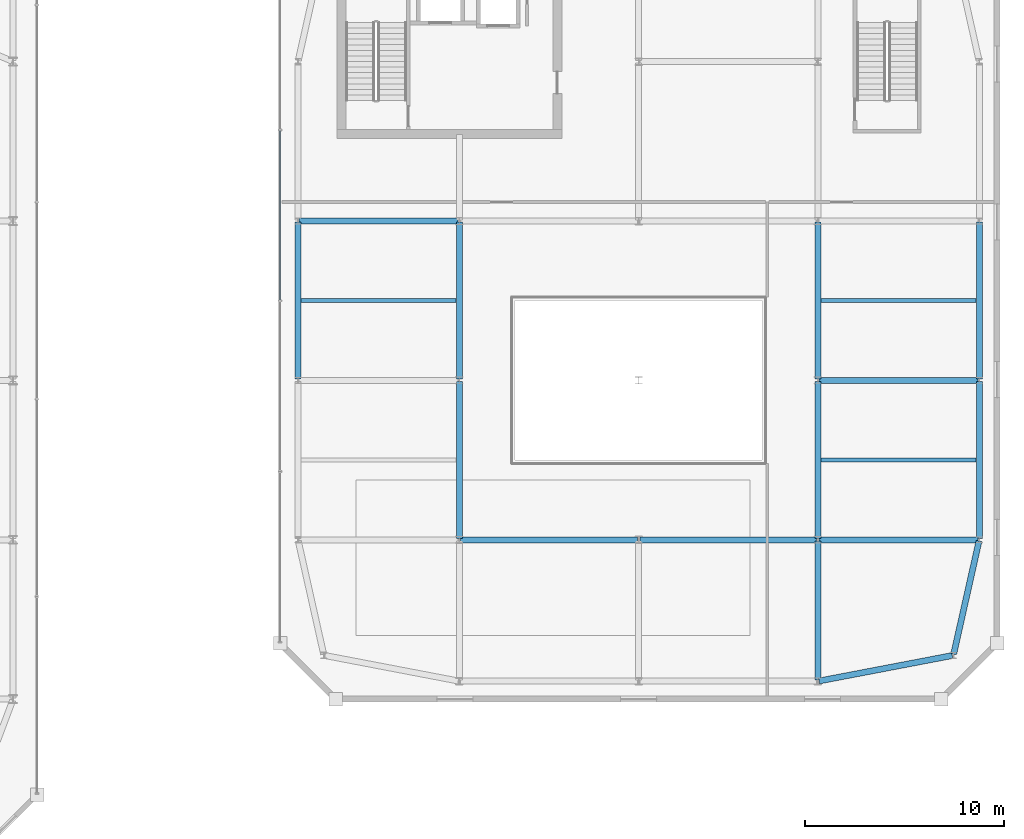
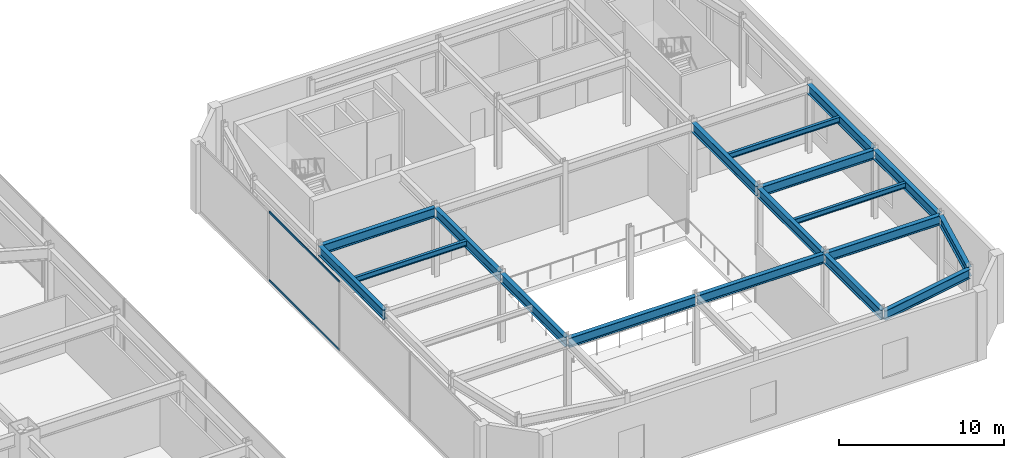
# One storey, part 35 of 52: 18 beams, 2 members, 1 element without a shape of its own.
"""IFC4 building model written with IfcOpenShell, lengths in metres."""

from ifc_helpers import new_model, si_unit, direction, frame, origin, origin_2d, place, context, subcontext, project, spatial, hollow_rectangle, i_section, extrude, material, material_profile, profile_set, type_object, element, aggregate, save


model = new_model("IFC4")

# Units and contexts
model_context = context("Model", 3, precision=1e-05, world=origin(), true_north=direction((0.0, 1.0)))
body_context = subcontext(model_context, "Body", "Model", "MODEL_VIEW")
ifc_project = project(units=[si_unit("LENGTHUNIT", "METRE"), si_unit("AREAUNIT", "SQUARE_METRE"), si_unit("VOLUMEUNIT", "CUBIC_METRE"), si_unit("PLANEANGLEUNIT", "RADIAN"), si_unit("MASSUNIT", "GRAM", prefix="KILO")], contexts=[model_context])

# Site, building, storey
site_placement = place(None, origin())
site = spatial("IfcSite", under=ifc_project, at=site_placement, CompositionType="ELEMENT")
building_placement = place(site_placement, origin())
building = spatial("IfcBuilding", under=site, at=building_placement, Name="Saevonmaru Cultural Tower", CompositionType="ELEMENT")
storey_placement = place(building_placement, frame((0.0, 0.0, 16.800048828125)))
storey = spatial("IfcBuildingStorey", under=building, at=storey_placement, Name="L03", CompositionType="ELEMENT", Elevation=16.800048828125)

# Beams
ifc_material_1 = material(Name="Steel SM355", Category="steel")
ifc_material_profile_1 = material_profile(ifc_material_1, i_section(OverallWidth=0.300048828125, OverallDepth=0.699951171875, WebThickness=0.012939453125, FlangeThickness=0.02392578125, FilletRadius=0.02587890625, at=origin_2d()), Name="H-700x300x13x24")
ifc_profile_set_1 = profile_set([ifc_material_profile_1], Name="Steel SM355")
beam_type_1 = type_object("IfcBeamType", Name="BM-G-H700", PredefinedType="BEAM", material=ifc_profile_set_1)
beam_1_placement = place(storey_placement, frame((99.2587890625, 8.911376953125, 4.75), z_axis=(0.982216489393, 0.187751878722, 0.0), x_axis=(-0.187751878722, 0.982216489393, 0.0)))
element("IfcBeam", 1, at=beam_1_placement, inside=storey, type_object=beam_type_1, Name="L03 Library Girder EW-1-4", PredefinedType="BEAM", context=body_context, shape_type="SweptSolid", body=[
    extrude(i_section(OverallWidth=0.300048828125, OverallDepth=0.699951171875, WebThickness=0.012939453125, FlangeThickness=0.02392578125, FilletRadius=0.02587890625, at=origin_2d()), origin(), (0.0, 0.0, 1.0), 6.803466796875),
])
for number, where, z_axis, x_axis, name in (
    (2, (81.260009765625, 16.0, 4.75), (1.0, 0.0, 0.0), (0.0, 1.0, 0.0), "L03 Library Girder EW-2-2"),
    (3, (90.260009765625, 16.0, 4.75), (1.0, 0.0, 0.0), (0.0, 1.0, 0.0), "L03 Library Girder EW-2-3"),
):
    element("IfcBeam", number, at=place(storey_placement, frame(where, z_axis=z_axis, x_axis=x_axis)), inside=storey, type_object=beam_type_1, Name=name, PredefinedType="BEAM", context=body_context, shape_type="SweptSolid", body=[
        extrude(i_section(OverallWidth=0.300048828125, OverallDepth=0.699951171875, WebThickness=0.012939453125, FlangeThickness=0.02392578125, FilletRadius=0.02587890625, at=origin_2d()), origin(), (0.0, 0.0, 1.0), 8.8798828125),
    ])
for number, where, z_axis, x_axis, name in (
    (4, (99.260009765625, 16.0, 4.75), (1.0, 0.0, 0.0), (0.0, 1.0, 0.0), "L03 Library Girder EW-2-4"),
    (5, (99.260009765625, 24.0, 4.75), (1.0, 0.0, 0.0), (0.0, 1.0, 0.0), "L03 Library Girder EW-3-4"),
    (6, (73.159912109375, 32.0, 4.75), (1.0, 0.0, 0.0), (0.0, 1.0, 0.0), "L03 Library Girder EW-4-1"),
):
    element("IfcBeam", number, at=place(storey_placement, frame(where, z_axis=z_axis, x_axis=x_axis)), inside=storey, type_object=beam_type_1, Name=name, PredefinedType="BEAM", context=body_context, shape_type="SweptSolid", body=[
        extrude(i_section(OverallWidth=0.300048828125, OverallDepth=0.699951171875, WebThickness=0.012939453125, FlangeThickness=0.02392578125, FilletRadius=0.02587890625, at=origin_2d()), origin(), (0.0, 0.0, 1.0), 7.97998046875),
    ])
for number, where, z_axis, x_axis, name in (
    (7, (73.10009765625, 24.06005859375, 4.75), (0.0, 1.0, 0.0), (-1.0, 0.0, 0.0), "L03 Library Girder NS-1-3"),
    (8, (81.199951171875, 16.06005859375, 4.75), (0.0, 1.0, 0.0), (-1.0, 0.0, 0.0), "L03 Library Girder NS-2-2"),
    (9, (81.199951171875, 24.06005859375, 4.75), (0.0, 1.0, 0.0), (-1.0, 0.0, 0.0), "L03 Library Girder NS-2-3"),
):
    element("IfcBeam", number, at=place(storey_placement, frame(where, z_axis=z_axis, x_axis=x_axis)), inside=storey, type_object=beam_type_1, Name=name, PredefinedType="BEAM", context=body_context, shape_type="SweptSolid", body=[
        extrude(i_section(OverallWidth=0.300048828125, OverallDepth=0.699951171875, WebThickness=0.012939453125, FlangeThickness=0.02392578125, FilletRadius=0.02587890625, at=origin_2d()), origin(), (0.0, 0.0, 1.0), 7.8798828125),
    ])
beam_2_placement = place(storey_placement, frame((99.199951171875, 8.9599609375, 4.75), z_axis=(0.0, 1.0, 0.0), x_axis=(-1.0, 0.0, 0.0)))
element("IfcBeam", 10, at=beam_2_placement, inside=storey, type_object=beam_type_1, Name="L03 Library Girder NS-4-1", PredefinedType="BEAM", context=body_context, shape_type="SweptSolid", body=[
    extrude(i_section(OverallWidth=0.300048828125, OverallDepth=0.699951171875, WebThickness=0.012939453125, FlangeThickness=0.02392578125, FilletRadius=0.02587890625, at=origin_2d()), origin(), (0.0, 0.0, 1.0), 6.97998046875),
])
for number, where, z_axis, x_axis, name in (
    (11, (99.199951171875, 16.06005859375, 4.75), (0.0, 1.0, 0.0), (-1.0, 0.0, 0.0), "L03 Library Girder NS-4-2"),
    (12, (99.199951171875, 24.06005859375, 4.75), (0.0, 1.0, 0.0), (-1.0, 0.0, 0.0), "L03 Library Girder NS-4-3"),
):
    element("IfcBeam", number, at=place(storey_placement, frame(where, z_axis=z_axis, x_axis=x_axis)), inside=storey, type_object=beam_type_1, Name=name, PredefinedType="BEAM", context=body_context, shape_type="SweptSolid", body=[
        extrude(i_section(OverallWidth=0.300048828125, OverallDepth=0.699951171875, WebThickness=0.012939453125, FlangeThickness=0.02392578125, FilletRadius=0.02587890625, at=origin_2d()), origin(), (0.0, 0.0, 1.0), 7.8798828125),
    ])
beam_3_placement = place(storey_placement, frame((106.01318359375, 10.258544921875, 4.75), z_axis=(0.218701133908, 0.975791890737, 0.0), x_axis=(-0.975791890737, 0.218701133908, 0.0)))
element("IfcBeam", 13, at=beam_3_placement, inside=storey, type_object=beam_type_1, Name="L03 Library Girder NS-5-1", PredefinedType="BEAM", context=body_context, shape_type="SweptSolid", body=[
    extrude(i_section(OverallWidth=0.300048828125, OverallDepth=0.699951171875, WebThickness=0.012939453125, FlangeThickness=0.02392578125, FilletRadius=0.02587890625, at=origin_2d()), origin(), (0.0, 0.0, 1.0), 5.82373046875),
])
for number, where, z_axis, x_axis, name in (
    (14, (107.300048828125, 16.06005859375, 4.75), (0.0, 1.0, 0.0), (-1.0, 0.0, 0.0), "L03 Library Girder NS-5-2"),
    (15, (107.300048828125, 24.06005859375, 4.75), (0.0, 1.0, 0.0), (-1.0, 0.0, 0.0), "L03 Library Girder NS-5-3"),
):
    element("IfcBeam", number, at=place(storey_placement, frame(where, z_axis=z_axis, x_axis=x_axis)), inside=storey, type_object=beam_type_1, Name=name, PredefinedType="BEAM", context=body_context, shape_type="SweptSolid", body=[
        extrude(i_section(OverallWidth=0.300048828125, OverallDepth=0.699951171875, WebThickness=0.012939453125, FlangeThickness=0.02392578125, FilletRadius=0.02587890625, at=origin_2d()), origin(), (0.0, 0.0, 1.0), 7.8798828125),
    ])
ifc_material_profile_2 = material_profile(ifc_material_1, i_section(OverallWidth=0.199951171875, OverallDepth=0.39990234375, WebThickness=0.008056640625, FlangeThickness=0.012939453125, FilletRadius=0.01611328125, at=origin_2d()), Name="H-400x200x8x13")
ifc_profile_set_2 = profile_set([ifc_material_profile_2], Name="Steel SM355")
beam_type_2 = type_object("IfcBeamType", Name="BM-J-H400", PredefinedType="JOIST", material=ifc_profile_set_2)
beam_4_placement = place(storey_placement, frame((99.35791015625, 20.0, 4.89990234375), z_axis=(1.0, 0.0, 0.0), x_axis=(0.0, 1.0, 0.0)))
element("IfcBeam", 16, at=beam_4_placement, inside=storey, type_object=beam_type_2, Name="L03 Library Joist J-2-4", PredefinedType="JOIST", context=body_context, shape_type="SweptSolid", body=[
    extrude(i_section(OverallWidth=0.199951171875, OverallDepth=0.39990234375, WebThickness=0.008056640625, FlangeThickness=0.012939453125, FilletRadius=0.01611328125, at=origin_2d()), origin(), (0.0, 0.0, 1.0), 7.7841796875),
])
beam_5_placement = place(storey_placement, frame((73.258056640625, 28.0, 4.89990234375), z_axis=(1.0, 0.0, 0.0), x_axis=(0.0, 1.0, 0.0)))
element("IfcBeam", 17, at=beam_5_placement, inside=storey, type_object=beam_type_2, Name="L03 Library Joist J-3-1", PredefinedType="JOIST", context=body_context, shape_type="SweptSolid", body=[
    extrude(i_section(OverallWidth=0.199951171875, OverallDepth=0.39990234375, WebThickness=0.008056640625, FlangeThickness=0.012939453125, FilletRadius=0.01611328125, at=origin_2d()), origin(), (0.0, 0.0, 1.0), 7.783935546875),
])
beam_6_placement = place(storey_placement, frame((99.35791015625, 28.0, 4.89990234375), z_axis=(1.0, 0.0, 0.0), x_axis=(0.0, 1.0, 0.0)))
element("IfcBeam", 18, at=beam_6_placement, inside=storey, type_object=beam_type_2, Name="L03 Library Joist J-3-4", PredefinedType="JOIST", context=body_context, shape_type="SweptSolid", body=[
    extrude(i_section(OverallWidth=0.199951171875, OverallDepth=0.39990234375, WebThickness=0.008056640625, FlangeThickness=0.012939453125, FilletRadius=0.01611328125, at=origin_2d()), origin(), (0.0, 0.0, 1.0), 7.7841796875),
])

# Curtain wall, members
ifc_material_2 = material(Name="Satin Bronze Anodised Aluminium", Category="aluminium")
curtain_wall_type = type_object("IfcCurtainWallType", Name="CW-LIB-GLZ", PredefinedType="NOTDEFINED", material=ifc_material_2)
curtain_wall_placement = place(storey_placement, origin())
curtain_wall = element("IfcCurtainWall", 19, at=curtain_wall_placement, inside=storey, type_object=curtain_wall_type, Name="L03 Central Library Reading Hall Curtain Wall 8", PredefinedType="NOTDEFINED")
ifc_material_profile_3 = material_profile(ifc_material_2, hollow_rectangle(XDim=0.06494140625, YDim=0.14990234375, WallThickness=0.00390625, at=origin_2d()), Name="ALU-TRAN-150x65x4")
ifc_profile_set_3 = profile_set([ifc_material_profile_3], Name="Satin Bronze Anodised Aluminium")
member_type = type_object("IfcMemberType", Name="TR-CW-150x65", PredefinedType="USERDEFINED", material=ifc_profile_set_3)
member_1_placement = place(storey_placement, frame((72.199951171875, 36.53759765625, 0.032470703125), z_axis=(0.0, -1.0, 0.0), x_axis=(1.0, 0.0, 0.0)))
member_1 = element("IfcMember", 20, at=member_1_placement, type_object=member_type, Name="CW-LIB-8-L03 transom 2.1", ObjectType="TRANSOM", PredefinedType="USERDEFINED", context=body_context, shape_type="SweptSolid", body=[
    extrude(hollow_rectangle(XDim=0.06494140625, YDim=0.14990234375, WallThickness=0.00390625, at=origin_2d()), origin(), (0.0, 0.0, 1.0), 8.505126953125),
])
member_2_placement = place(storey_placement, frame((72.199951171875, 36.53759765625, 5.0673828125), z_axis=(0.0, -1.0, 0.0), x_axis=(1.0, 0.0, 0.0)))
member_2 = element("IfcMember", 21, at=member_2_placement, type_object=member_type, Name="CW-LIB-8-L03 transom 2.2", ObjectType="TRANSOM", PredefinedType="USERDEFINED", context=body_context, shape_type="SweptSolid", body=[
    extrude(hollow_rectangle(XDim=0.06494140625, YDim=0.14990234375, WallThickness=0.00390625, at=origin_2d()), origin(), (0.0, 0.0, 1.0), 8.505126953125),
])
aggregate(curtain_wall, [member_1, member_2])

save(model, "model.ifc")
